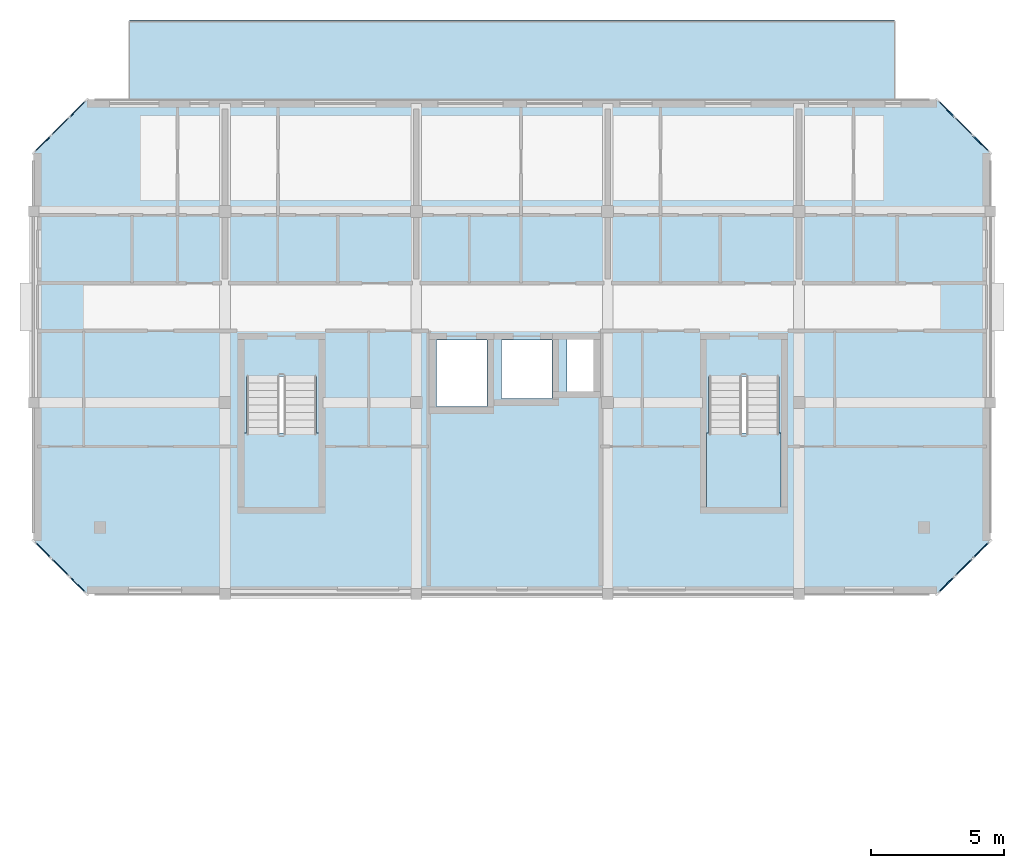
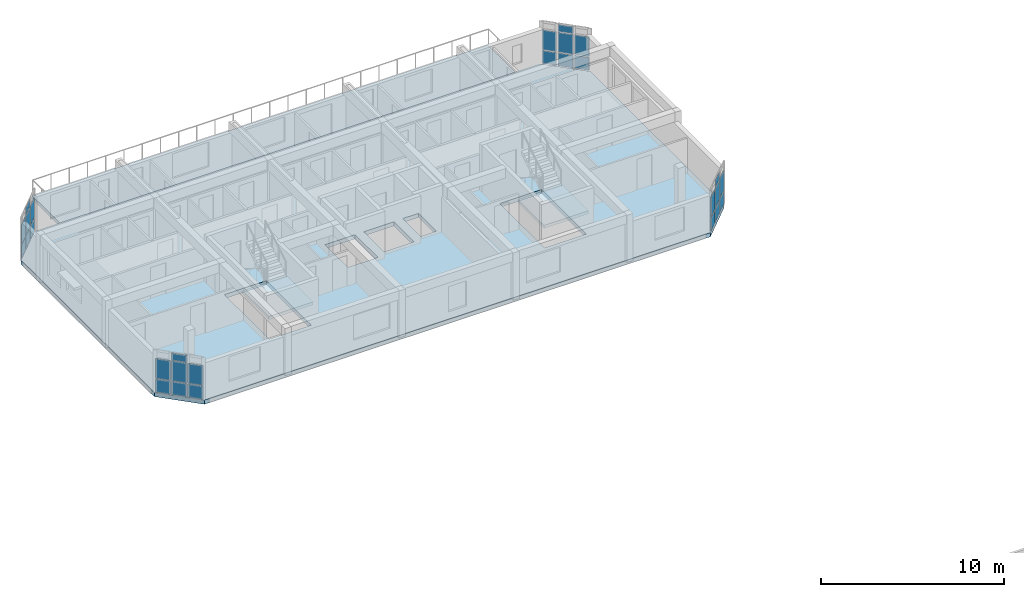
# One storey, part 6 of 16: 28 plates, 4 slabs, 6 elements without a shape of their own.
"""IFC4 building model written with IfcOpenShell, lengths in metres."""

from ifc_helpers import new_model, si_unit, direction, frame, origin, origin_2d, place, context, subcontext, project, spatial, polyline, rectangle, outline, extrude, material, layer, layer_set, type_object, element, aggregate, save


model = new_model("IFC4")

# Units and contexts
model_context = context("Model", 3, precision=1e-05, world=origin(), true_north=direction((0.0, 1.0)))
body_context = subcontext(model_context, "Body", "Model", "MODEL_VIEW")
ifc_project = project(units=[si_unit("LENGTHUNIT", "METRE"), si_unit("AREAUNIT", "SQUARE_METRE"), si_unit("VOLUMEUNIT", "CUBIC_METRE"), si_unit("PLANEANGLEUNIT", "RADIAN"), si_unit("MASSUNIT", "GRAM", prefix="KILO")], contexts=[model_context])

# Site, building, storey
site_placement = place(None, origin())
site = spatial("IfcSite", under=ifc_project, at=site_placement, CompositionType="ELEMENT")
building_placement = place(site_placement, origin())
building = spatial("IfcBuilding", under=site, at=building_placement, Name="Ochrevale Crest", CompositionType="ELEMENT")
storey_placement = place(building_placement, frame((0.0, 0.0, 46.5)))
storey = spatial("IfcBuildingStorey", under=building, at=storey_placement, Name="L14", CompositionType="ELEMENT", Elevation=46.5)

# Curtain wall, plates
ifc_material_1 = material(Name="Anodised aluminium 6063-T5", Category="aluminium")
ifc_layer_1 = layer(ifc_material_1, 0.14990234375)
ifc_layer_set_1 = layer_set([ifc_layer_1], Name="Anodised aluminium 6063-T5")
curtain_wall_type_1 = type_object("IfcCurtainWallType", Name="CW-WG-240x285", PredefinedType="NOTDEFINED", material=ifc_layer_set_1)
curtain_wall_1_placement = place(storey_placement, origin())
curtain_wall_1 = element("IfcCurtainWall", 1, at=curtain_wall_1_placement, inside=storey, type_object=curtain_wall_type_1, Name="Block D L14 chamfered corner wintergarden curtain wall 6", PredefinedType="NOTDEFINED")
ifc_material_2 = material(Name="Double-glazed low-E insulated glass unit", Category="glass")
ifc_layer_2 = layer(ifc_material_2, 0.028076171875)
ifc_layer_set_2 = layer_set([ifc_layer_2], Name="Double-glazed low-E insulated glass unit")
plate_type_1 = type_object("IfcPlateType", Name="CW-PNL-IGU28", PredefinedType="CURTAIN_PANEL", material=ifc_layer_set_2)
plate_1_placement = place(storey_placement, frame((131.25341796875, 90.25341796875, 0.06005859375), z_axis=(0.0, 0.0, 1.0), x_axis=(-0.707106781187, -0.707106781187, 0.0)))
plate_1 = element("IfcPlate", 2, at=plate_1_placement, type_object=plate_type_1, Name="CW15 panel 1.1", PredefinedType="CURTAIN_PANEL", context=body_context, shape_type="SweptSolid", body=[
    extrude(rectangle(XDim=0.830322265625, YDim=0.028076171875, at=origin_2d()), origin(), (0.0, 0.0, 1.0), 0.860107421875),
])
plate_2_placement = place(storey_placement, frame((131.25341796875, 90.25341796875, 0.97998046875), z_axis=(0.0, 0.0, 1.0), x_axis=(-0.707106781187, -0.707106781187, 0.0)))
plate_2 = element("IfcPlate", 3, at=plate_2_placement, type_object=plate_type_1, Name="CW15 panel 1.2", PredefinedType="CURTAIN_PANEL", context=body_context, shape_type="SweptSolid", body=[
    extrude(rectangle(XDim=0.830322265625, YDim=0.028076171875, at=origin_2d()), origin(), (0.0, 0.0, 1.0), 1.31494140625),
])
plate_3_placement = place(storey_placement, frame((130.60009765625, 89.60009765625, 0.06005859375), z_axis=(0.0, 0.0, 1.0), x_axis=(-0.707106781187, -0.707106781187, 0.0)))
plate_3 = element("IfcPlate", 4, at=plate_3_placement, type_object=plate_type_1, Name="CW15 panel 2.1", PredefinedType="CURTAIN_PANEL", context=body_context, shape_type="SweptSolid", body=[
    extrude(rectangle(XDim=0.867919921875, YDim=0.028076171875, at=origin_2d()), origin(), (0.0, 0.0, 1.0), 0.860107421875),
])
plate_4_placement = place(storey_placement, frame((130.60009765625, 89.60009765625, 0.97998046875), z_axis=(0.0, 0.0, 1.0), x_axis=(-0.707106781187, -0.707106781187, 0.0)))
plate_4 = element("IfcPlate", 5, at=plate_4_placement, type_object=plate_type_1, Name="CW15 panel 2.2", PredefinedType="CURTAIN_PANEL", context=body_context, shape_type="SweptSolid", body=[
    extrude(rectangle(XDim=0.867919921875, YDim=0.028076171875, at=origin_2d()), origin(), (0.0, 0.0, 1.0), 1.31494140625),
])
plate_5_placement = place(storey_placement, frame((130.60009765625, 89.60009765625, 2.35498046875), z_axis=(0.0, 0.0, 1.0), x_axis=(-0.707106781187, -0.707106781187, 0.0)))
plate_5 = element("IfcPlate", 6, at=plate_5_placement, type_object=plate_type_1, Name="CW15 panel 2.3", PredefinedType="CURTAIN_PANEL", context=body_context, shape_type="SweptSolid", body=[
    extrude(rectangle(XDim=0.867919921875, YDim=0.028076171875, at=origin_2d()), origin(), (0.0, 0.0, 1.0), 0.4599609375),
])
plate_6_placement = place(storey_placement, frame((129.946533203125, 88.946533203125, 0.06005859375), z_axis=(0.0, 0.0, 1.0), x_axis=(-0.707106781187, -0.707106781187, 0.0)))
plate_6 = element("IfcPlate", 7, at=plate_6_placement, type_object=plate_type_1, Name="CW15 panel 3.1", PredefinedType="CURTAIN_PANEL", context=body_context, shape_type="SweptSolid", body=[
    extrude(rectangle(XDim=0.830322265625, YDim=0.028076171875, at=origin_2d()), origin(), (0.0, 0.0, 1.0), 0.860107421875),
])
plate_7_placement = place(storey_placement, frame((129.946533203125, 88.946533203125, 0.97998046875), z_axis=(0.0, 0.0, 1.0), x_axis=(-0.707106781187, -0.707106781187, 0.0)))
plate_7 = element("IfcPlate", 8, at=plate_7_placement, type_object=plate_type_1, Name="CW15 panel 3.2", PredefinedType="CURTAIN_PANEL", context=body_context, shape_type="SweptSolid", body=[
    extrude(rectangle(XDim=0.830322265625, YDim=0.028076171875, at=origin_2d()), origin(), (0.0, 0.0, 1.0), 1.31494140625),
])
aggregate(curtain_wall_1, [plate_1, plate_2, plate_3, plate_4, plate_5, plate_6, plate_7])

ifc_layer_3 = layer(ifc_material_1, 0.14990234375)
ifc_layer_set_3 = layer_set([ifc_layer_3], Name="Anodised aluminium 6063-T5")
curtain_wall_type_2 = type_object("IfcCurtainWallType", Name="CW-WG-320x285", PredefinedType="NOTDEFINED", material=ifc_layer_set_3)
curtain_wall_2_placement = place(storey_placement, origin())
curtain_wall_2 = element("IfcCurtainWall", 9, at=curtain_wall_2_placement, inside=storey, type_object=curtain_wall_type_2, Name="Block D L14 chamfered corner wintergarden curtain wall 8", PredefinedType="NOTDEFINED")
plate_8_placement = place(storey_placement, frame((129.946533203125, 73.6533203125, 0.06005859375), z_axis=(0.0, 0.0, 1.0), x_axis=(0.707106781187, -0.707106781187, 0.0)))
plate_8 = element("IfcPlate", 10, at=plate_8_placement, type_object=plate_type_1, Name="CW17 panel 1.1", PredefinedType="CURTAIN_PANEL", context=body_context, shape_type="SweptSolid", body=[
    extrude(rectangle(XDim=0.830322265625, YDim=0.028076171875, at=origin_2d()), origin(), (0.0, 0.0, 1.0), 0.860107421875),
])
plate_9_placement = place(storey_placement, frame((129.946533203125, 73.6533203125, 0.97998046875), z_axis=(0.0, 0.0, 1.0), x_axis=(0.707106781187, -0.707106781187, 0.0)))
plate_9 = element("IfcPlate", 11, at=plate_9_placement, type_object=plate_type_1, Name="CW17 panel 1.2", PredefinedType="CURTAIN_PANEL", context=body_context, shape_type="SweptSolid", body=[
    extrude(rectangle(XDim=0.830322265625, YDim=0.028076171875, at=origin_2d()), origin(), (0.0, 0.0, 1.0), 1.31494140625),
])
plate_10_placement = place(storey_placement, frame((130.60009765625, 73.0, 0.06005859375), z_axis=(0.0, 0.0, 1.0), x_axis=(0.707106781187, -0.707106781187, 0.0)))
plate_10 = element("IfcPlate", 12, at=plate_10_placement, type_object=plate_type_1, Name="CW17 panel 2.1", PredefinedType="CURTAIN_PANEL", context=body_context, shape_type="SweptSolid", body=[
    extrude(rectangle(XDim=0.867919921875, YDim=0.028076171875, at=origin_2d()), origin(), (0.0, 0.0, 1.0), 0.860107421875),
])
plate_11_placement = place(storey_placement, frame((130.60009765625, 73.0, 0.97998046875), z_axis=(0.0, 0.0, 1.0), x_axis=(0.707106781187, -0.707106781187, 0.0)))
plate_11 = element("IfcPlate", 13, at=plate_11_placement, type_object=plate_type_1, Name="CW17 panel 2.2", PredefinedType="CURTAIN_PANEL", context=body_context, shape_type="SweptSolid", body=[
    extrude(rectangle(XDim=0.867919921875, YDim=0.028076171875, at=origin_2d()), origin(), (0.0, 0.0, 1.0), 1.31494140625),
])
plate_12_placement = place(storey_placement, frame((130.60009765625, 73.0, 2.35498046875), z_axis=(0.0, 0.0, 1.0), x_axis=(0.707106781187, -0.707106781187, 0.0)))
plate_12 = element("IfcPlate", 14, at=plate_12_placement, type_object=plate_type_1, Name="CW17 panel 2.3", PredefinedType="CURTAIN_PANEL", context=body_context, shape_type="SweptSolid", body=[
    extrude(rectangle(XDim=0.867919921875, YDim=0.028076171875, at=origin_2d()), origin(), (0.0, 0.0, 1.0), 0.4599609375),
])
plate_13_placement = place(storey_placement, frame((131.25341796875, 72.3466796875, 0.06005859375), z_axis=(0.0, 0.0, 1.0), x_axis=(0.707106781187, -0.707106781187, 0.0)))
plate_13 = element("IfcPlate", 15, at=plate_13_placement, type_object=plate_type_1, Name="CW17 panel 3.1", PredefinedType="CURTAIN_PANEL", context=body_context, shape_type="SweptSolid", body=[
    extrude(rectangle(XDim=0.830322265625, YDim=0.028076171875, at=origin_2d()), origin(), (0.0, 0.0, 1.0), 0.860107421875),
])
plate_14_placement = place(storey_placement, frame((131.25341796875, 72.3466796875, 0.97998046875), z_axis=(0.0, 0.0, 1.0), x_axis=(0.707106781187, -0.707106781187, 0.0)))
plate_14 = element("IfcPlate", 16, at=plate_14_placement, type_object=plate_type_1, Name="CW17 panel 3.2", PredefinedType="CURTAIN_PANEL", context=body_context, shape_type="SweptSolid", body=[
    extrude(rectangle(XDim=0.830322265625, YDim=0.028076171875, at=origin_2d()), origin(), (0.0, 0.0, 1.0), 1.31494140625),
])
aggregate(curtain_wall_2, [plate_8, plate_9, plate_10, plate_11, plate_12, plate_13, plate_14])

ifc_layer_4 = layer(ifc_material_1, 0.14990234375)
ifc_layer_set_4 = layer_set([ifc_layer_4], Name="Anodised aluminium 6063-T5")
curtain_wall_type_3 = type_object("IfcCurtainWallType", Name="CW-WG-280x285", PredefinedType="NOTDEFINED", material=ifc_layer_set_4)
curtain_wall_3_placement = place(storey_placement, origin())
curtain_wall_3 = element("IfcCurtainWall", 17, at=curtain_wall_3_placement, inside=storey, type_object=curtain_wall_type_3, Name="Block D L14 chamfered corner wintergarden curtain wall 2", PredefinedType="NOTDEFINED")
ifc_material_3 = material(Name="Acoustic laminated low-E insulated glass unit", Category="glass")
ifc_layer_5 = layer(ifc_material_3, 0.0380859375)
ifc_layer_set_5 = layer_set([ifc_layer_5], Name="Acoustic laminated low-E insulated glass unit")
plate_type_2 = type_object("IfcPlateType", Name="CW-PNL-IGU38", PredefinedType="CURTAIN_PANEL", material=ifc_layer_set_5)
plate_15_placement = place(storey_placement, frame((163.946533203125, 72.3466796875, 0.06005859375), z_axis=(0.0, 0.0, 1.0), x_axis=(0.707106781187, 0.707106781187, 0.0)))
plate_15 = element("IfcPlate", 18, at=plate_15_placement, type_object=plate_type_2, Name="CW16 panel 1.1", PredefinedType="CURTAIN_PANEL", context=body_context, shape_type="SweptSolid", body=[
    extrude(rectangle(XDim=0.830322265625, YDim=0.0380859375, at=origin_2d()), origin(), (0.0, 0.0, 1.0), 0.860107421875),
])
plate_16_placement = place(storey_placement, frame((163.946533203125, 72.3466796875, 0.97998046875), z_axis=(0.0, 0.0, 1.0), x_axis=(0.707106781187, 0.707106781187, 0.0)))
plate_16 = element("IfcPlate", 19, at=plate_16_placement, type_object=plate_type_2, Name="CW16 panel 1.2", PredefinedType="CURTAIN_PANEL", context=body_context, shape_type="SweptSolid", body=[
    extrude(rectangle(XDim=0.830322265625, YDim=0.0380859375, at=origin_2d()), origin(), (0.0, 0.0, 1.0), 1.31494140625),
])
plate_17_placement = place(storey_placement, frame((164.60009765625, 73.0, 0.06005859375), z_axis=(0.0, 0.0, 1.0), x_axis=(0.707106781187, 0.707106781187, 0.0)))
plate_17 = element("IfcPlate", 20, at=plate_17_placement, type_object=plate_type_2, Name="CW16 panel 2.1", PredefinedType="CURTAIN_PANEL", context=body_context, shape_type="SweptSolid", body=[
    extrude(rectangle(XDim=0.867919921875, YDim=0.0380859375, at=origin_2d()), origin(), (0.0, 0.0, 1.0), 0.860107421875),
])
plate_18_placement = place(storey_placement, frame((164.60009765625, 73.0, 0.97998046875), z_axis=(0.0, 0.0, 1.0), x_axis=(0.707106781187, 0.707106781187, 0.0)))
plate_18 = element("IfcPlate", 21, at=plate_18_placement, type_object=plate_type_2, Name="CW16 panel 2.2", PredefinedType="CURTAIN_PANEL", context=body_context, shape_type="SweptSolid", body=[
    extrude(rectangle(XDim=0.867919921875, YDim=0.0380859375, at=origin_2d()), origin(), (0.0, 0.0, 1.0), 1.31494140625),
])
plate_19_placement = place(storey_placement, frame((164.60009765625, 73.0, 2.35498046875), z_axis=(0.0, 0.0, 1.0), x_axis=(0.707106781187, 0.707106781187, 0.0)))
plate_19 = element("IfcPlate", 22, at=plate_19_placement, type_object=plate_type_2, Name="CW16 panel 2.3", PredefinedType="CURTAIN_PANEL", context=body_context, shape_type="SweptSolid", body=[
    extrude(rectangle(XDim=0.867919921875, YDim=0.0380859375, at=origin_2d()), origin(), (0.0, 0.0, 1.0), 0.4599609375),
])
plate_20_placement = place(storey_placement, frame((165.25341796875, 73.6533203125, 0.06005859375), z_axis=(0.0, 0.0, 1.0), x_axis=(0.707106781187, 0.707106781187, 0.0)))
plate_20 = element("IfcPlate", 23, at=plate_20_placement, type_object=plate_type_2, Name="CW16 panel 3.1", PredefinedType="CURTAIN_PANEL", context=body_context, shape_type="SweptSolid", body=[
    extrude(rectangle(XDim=0.830322265625, YDim=0.0380859375, at=origin_2d()), origin(), (0.0, 0.0, 1.0), 0.860107421875),
])
plate_21_placement = place(storey_placement, frame((165.25341796875, 73.6533203125, 0.97998046875), z_axis=(0.0, 0.0, 1.0), x_axis=(0.707106781187, 0.707106781187, 0.0)))
plate_21 = element("IfcPlate", 24, at=plate_21_placement, type_object=plate_type_2, Name="CW16 panel 3.2", PredefinedType="CURTAIN_PANEL", context=body_context, shape_type="SweptSolid", body=[
    extrude(rectangle(XDim=0.830322265625, YDim=0.0380859375, at=origin_2d()), origin(), (0.0, 0.0, 1.0), 1.31494140625),
])
aggregate(curtain_wall_3, [plate_15, plate_16, plate_17, plate_18, plate_19, plate_20, plate_21])

ifc_layer_6 = layer(ifc_material_1, 0.14990234375)
ifc_layer_set_6 = layer_set([ifc_layer_6], Name="Anodised aluminium 6063-T5")
curtain_wall_type_4 = type_object("IfcCurtainWallType", Name="CW-WG-360x285", PredefinedType="NOTDEFINED", material=ifc_layer_set_6)
curtain_wall_4_placement = place(storey_placement, origin())
curtain_wall_4 = element("IfcCurtainWall", 25, at=curtain_wall_4_placement, inside=storey, type_object=curtain_wall_type_4, Name="Block D L14 chamfered corner wintergarden curtain wall 4", PredefinedType="NOTDEFINED")
plate_22_placement = place(storey_placement, frame((165.25341796875, 88.946533203125, 0.06005859375), z_axis=(0.0, 0.0, 1.0), x_axis=(-0.707106781187, 0.707106781187, 0.0)))
plate_22 = element("IfcPlate", 26, at=plate_22_placement, type_object=plate_type_2, Name="CW18 panel 1.1", PredefinedType="CURTAIN_PANEL", context=body_context, shape_type="SweptSolid", body=[
    extrude(rectangle(XDim=0.830322265625, YDim=0.0380859375, at=origin_2d()), origin(), (0.0, 0.0, 1.0), 0.860107421875),
])
plate_23_placement = place(storey_placement, frame((165.25341796875, 88.946533203125, 0.97998046875), z_axis=(0.0, 0.0, 1.0), x_axis=(-0.707106781187, 0.707106781187, 0.0)))
plate_23 = element("IfcPlate", 27, at=plate_23_placement, type_object=plate_type_2, Name="CW18 panel 1.2", PredefinedType="CURTAIN_PANEL", context=body_context, shape_type="SweptSolid", body=[
    extrude(rectangle(XDim=0.830322265625, YDim=0.0380859375, at=origin_2d()), origin(), (0.0, 0.0, 1.0), 1.31494140625),
])
plate_24_placement = place(storey_placement, frame((164.60009765625, 89.60009765625, 0.06005859375), z_axis=(0.0, 0.0, 1.0), x_axis=(-0.707106781187, 0.707106781187, 0.0)))
plate_24 = element("IfcPlate", 28, at=plate_24_placement, type_object=plate_type_2, Name="CW18 panel 2.1", PredefinedType="CURTAIN_PANEL", context=body_context, shape_type="SweptSolid", body=[
    extrude(rectangle(XDim=0.867919921875, YDim=0.0380859375, at=origin_2d()), origin(), (0.0, 0.0, 1.0), 0.860107421875),
])
plate_25_placement = place(storey_placement, frame((164.60009765625, 89.60009765625, 0.97998046875), z_axis=(0.0, 0.0, 1.0), x_axis=(-0.707106781187, 0.707106781187, 0.0)))
plate_25 = element("IfcPlate", 29, at=plate_25_placement, type_object=plate_type_2, Name="CW18 panel 2.2", PredefinedType="CURTAIN_PANEL", context=body_context, shape_type="SweptSolid", body=[
    extrude(rectangle(XDim=0.867919921875, YDim=0.0380859375, at=origin_2d()), origin(), (0.0, 0.0, 1.0), 1.31494140625),
])
plate_26_placement = place(storey_placement, frame((164.60009765625, 89.60009765625, 2.35498046875), z_axis=(0.0, 0.0, 1.0), x_axis=(-0.707106781187, 0.707106781187, 0.0)))
plate_26 = element("IfcPlate", 30, at=plate_26_placement, type_object=plate_type_2, Name="CW18 panel 2.3", PredefinedType="CURTAIN_PANEL", context=body_context, shape_type="SweptSolid", body=[
    extrude(rectangle(XDim=0.867919921875, YDim=0.0380859375, at=origin_2d()), origin(), (0.0, 0.0, 1.0), 0.4599609375),
])
plate_27_placement = place(storey_placement, frame((163.946533203125, 90.25341796875, 0.06005859375), z_axis=(0.0, 0.0, 1.0), x_axis=(-0.707106781187, 0.707106781187, 0.0)))
plate_27 = element("IfcPlate", 31, at=plate_27_placement, type_object=plate_type_2, Name="CW18 panel 3.1", PredefinedType="CURTAIN_PANEL", context=body_context, shape_type="SweptSolid", body=[
    extrude(rectangle(XDim=0.830322265625, YDim=0.0380859375, at=origin_2d()), origin(), (0.0, 0.0, 1.0), 0.860107421875),
])
plate_28_placement = place(storey_placement, frame((163.946533203125, 90.25341796875, 0.97998046875), z_axis=(0.0, 0.0, 1.0), x_axis=(-0.707106781187, 0.707106781187, 0.0)))
plate_28 = element("IfcPlate", 32, at=plate_28_placement, type_object=plate_type_2, Name="CW18 panel 3.2", PredefinedType="CURTAIN_PANEL", context=body_context, shape_type="SweptSolid", body=[
    extrude(rectangle(XDim=0.830322265625, YDim=0.0380859375, at=origin_2d()), origin(), (0.0, 0.0, 1.0), 1.31494140625),
])
aggregate(curtain_wall_4, [plate_22, plate_23, plate_24, plate_25, plate_26, plate_27, plate_28])

# Slab
ifc_material_4 = material(Name="Precast concrete C40/50", Category="concrete")
ifc_layer_7 = layer(ifc_material_4, 0.27490234375)
ifc_layer_set_7 = layer_set([ifc_layer_7], Name="Precast concrete C40/50")
slab_type_1 = type_object("IfcSlabType", Name="SLB-RES-275", PredefinedType="FLOOR", material=ifc_layer_set_7)
slab_1_placement = place(storey_placement, frame((0.0, 0.0, -0.27490234375)))
element("IfcSlab", 33, at=slab_1_placement, inside=storey, type_object=slab_type_1, Name="Block D L14 composite hollowcore floor slab", PredefinedType="FLOOR", context=body_context, shape_type="SweptSolid", body=[
    extrude(outline(polyline([(131.60009765625, 72.0), (163.60009765625, 72.0), (165.60009765625, 74.0), (165.60009765625, 88.60009765625), (163.60009765625, 90.60009765625), (131.60009765625, 90.60009765625), (129.60009765625, 88.60009765625), (129.60009765625, 74.0), (131.60009765625, 72.0)]), holes=[polyline([(137.60009765625, 80.175048828125), (137.60009765625, 75.27490234375), (140.25, 75.27490234375), (140.25, 80.175048828125), (137.60009765625, 80.175048828125)]), polyline([(155.0, 80.175048828125), (155.0, 75.27490234375), (157.64990234375, 75.27490234375), (157.64990234375, 80.175048828125), (155.0, 80.175048828125)]), polyline([(144.75, 79.050048828125), (146.64990234375, 79.050048828125), (146.64990234375, 81.550048828125), (144.75, 81.550048828125), (144.75, 79.050048828125)]), polyline([(147.199951171875, 79.35009765625), (149.10009765625, 79.35009765625), (149.10009765625, 81.550048828125), (147.199951171875, 81.550048828125), (147.199951171875, 79.35009765625)]), polyline([(149.669921875, 79.6201171875), (150.679931640625, 79.6201171875), (150.679931640625, 81.580078125), (149.669921875, 81.580078125), (149.669921875, 79.6201171875)])]), origin(), (0.0, 0.0, 1.0), 0.27490234375),
])

# Stair, slab
stair_type = type_object("IfcStairType", Name="ST-CORE-DOG", PredefinedType="HALF_TURN_STAIR", material=ifc_material_4)
stair_1_placement = place(storey_placement, origin())
stair_1 = element("IfcStair", 34, at=stair_1_placement, inside=storey, type_object=stair_type, Name="L14 Block D Fire Stair 1", PredefinedType="HALF_TURN_STAIR")
ifc_layer_8 = layer(ifc_material_4, 0.199951171875)
ifc_layer_set_8 = layer_set([ifc_layer_8], Name="Precast concrete C40/50")
slab_type_2 = type_object("IfcSlabType", Name="SLB-ST-LAND", PredefinedType="LANDING", material=ifc_layer_set_8)
slab_2_placement = place(storey_placement, frame((0.0, 0.0, 1.375)))
slab_2 = element("IfcSlab", 35, at=slab_2_placement, type_object=slab_type_2, Name="ST-D1 landing 1", PredefinedType="LANDING", context=body_context, shape_type="SweptSolid", body=[
    extrude(outline(polyline([(137.52001953125, 78.06494140625), (137.52001953125, 75.195068359375), (140.330078125, 75.195068359375), (140.330078125, 78.06494140625), (137.52001953125, 78.06494140625)])), origin(), (0.0, 0.0, 1.0), 0.199951171875),
])
aggregate(stair_1, [slab_2])

stair_2_placement = place(storey_placement, origin())
stair_2 = element("IfcStair", 36, at=stair_2_placement, inside=storey, type_object=stair_type, Name="L14 Block D Fire Stair 2", PredefinedType="HALF_TURN_STAIR")
slab_3_placement = place(storey_placement, frame((0.0, 0.0, 1.375)))
slab_3 = element("IfcSlab", 37, at=slab_3_placement, type_object=slab_type_2, Name="ST-D2 landing 1", PredefinedType="LANDING", context=body_context, shape_type="SweptSolid", body=[
    extrude(outline(polyline([(154.919921875, 78.06494140625), (154.919921875, 75.195068359375), (157.72998046875, 75.195068359375), (157.72998046875, 78.06494140625), (154.919921875, 78.06494140625)])), origin(), (0.0, 0.0, 1.0), 0.199951171875),
])
aggregate(stair_2, [slab_3])

# Slab
ifc_material_5 = material(Name="Concrete C40/50", Category="concrete")
ifc_layer_9 = layer(ifc_material_5, 0.22509765625)
ifc_layer_set_9 = layer_set([ifc_layer_9], Name="Concrete C40/50")
slab_type_3 = type_object("IfcSlabType", Name="SLB-TER-225", PredefinedType="FLOOR", material=ifc_layer_set_9)
slab_4_placement = place(storey_placement, frame((0.0, 0.0, -0.22509765625)))
element("IfcSlab", 38, at=slab_4_placement, inside=storey, type_object=slab_type_3, Name="Block D L14 stepped-back roof terrace slab", PredefinedType="FLOOR", context=body_context, shape_type="SweptSolid", body=[
    extrude(outline(polyline([(133.199951171875, 90.60009765625), (162.0, 90.60009765625), (162.0, 93.60009765625), (133.199951171875, 93.60009765625), (133.199951171875, 90.60009765625)])), origin(), (0.0, 0.0, 1.0), 0.22509765625),
])

save(model, "model.ifc")
